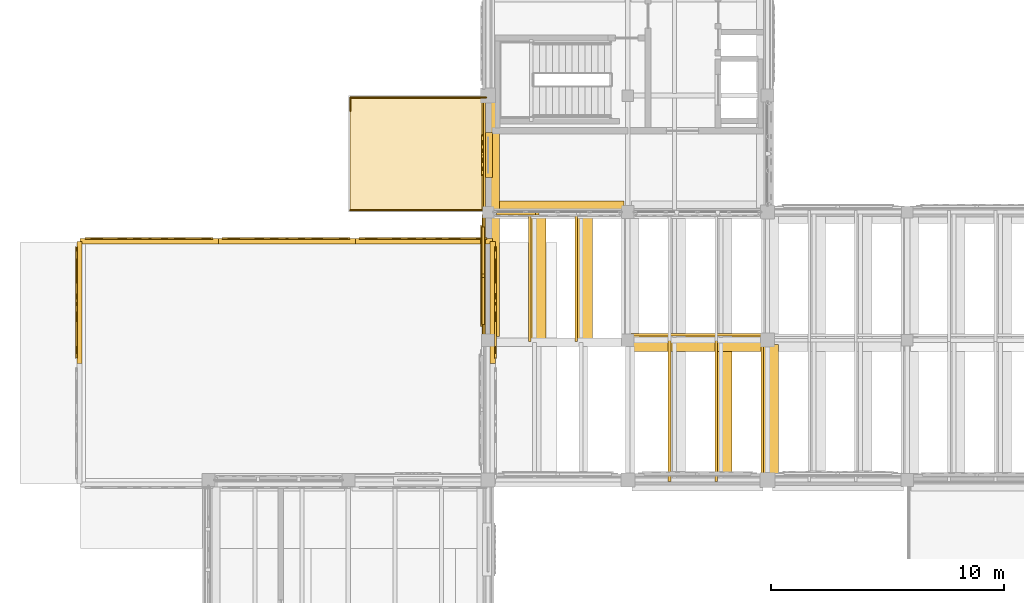
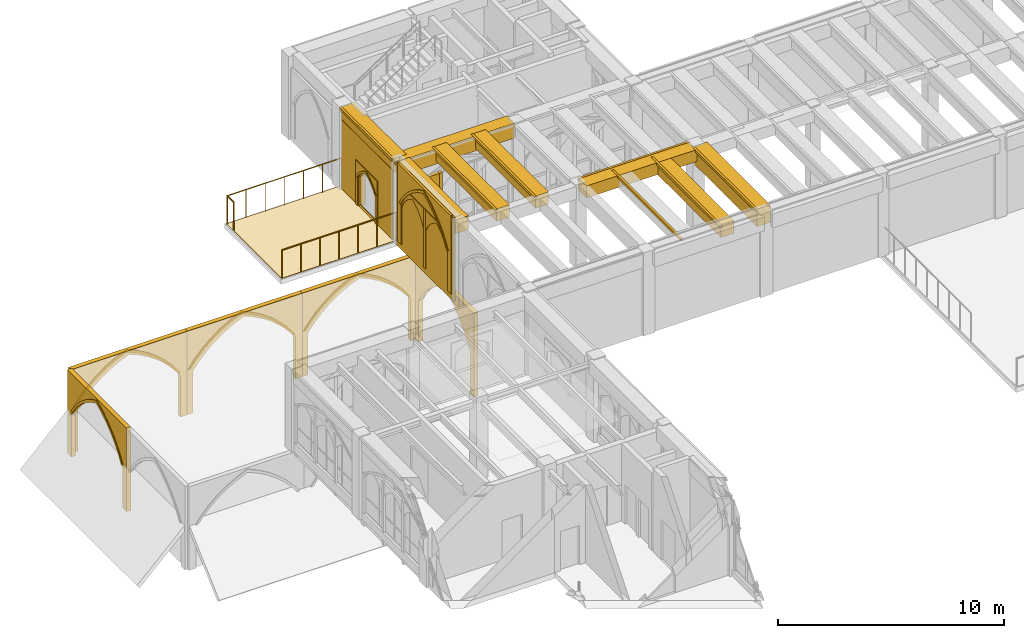
# One storey, part 98 of 127: 38 coverings, 3 railings.
"""IFC4 building model written with IfcOpenShell, lengths in metres."""

from ifc_helpers import new_model, si_unit, direction, frame, origin, origin_2d, place, context, subcontext, project, spatial, polyline, rectangle, circle, outline, extrude, material, type_object, element, save


model = new_model("IFC4")

# Units and contexts
model_context = context("Model", 3, precision=1e-05, world=origin(), true_north=direction((0.0, 1.0)))
body_context = subcontext(model_context, "Body", "Model", "MODEL_VIEW")
ifc_project = project(units=[si_unit("LENGTHUNIT", "METRE"), si_unit("AREAUNIT", "SQUARE_METRE"), si_unit("VOLUMEUNIT", "CUBIC_METRE"), si_unit("PLANEANGLEUNIT", "RADIAN"), si_unit("MASSUNIT", "GRAM", prefix="KILO")], contexts=[model_context])

# Site, building, storey
site_placement = place(None, origin())
site = spatial("IfcSite", under=ifc_project, at=site_placement, CompositionType="ELEMENT")
building_placement = place(site_placement, origin())
building = spatial("IfcBuilding", under=site, at=building_placement, Name="Cumevento Cable Car Station", CompositionType="ELEMENT")
storey_placement = place(building_placement, frame((0.0, 0.0, 4.5)))
storey = spatial("IfcBuildingStorey", under=building, at=storey_placement, Name="L02", CompositionType="ELEMENT", Elevation=4.5)

# Railings
ifc_material_1 = material(Name="Painted Galvanised Architectural Steel", Category="steel")
railing_type = type_object("IfcRailingType", Name="Terrace Guardrail GR-T155 1550", PredefinedType="GUARDRAIL", material=ifc_material_1)
for number, where, name in (
    (1, (16.080078125, 61.419921875, 0.0), "Panoramic Terrace Guardrail GR-T155 #16"),
    (2, (16.080078125, 56.580078125, 0.0), "Panoramic Terrace Guardrail GR-T155 #17"),
):
    element("IfcRailing", number, at=place(storey_placement, frame(where)), inside=storey, type_object=railing_type, Name=name, PredefinedType="GUARDRAIL", context=body_context, shape_type="SweptSolid", body=[
        extrude(circle(Radius=0.02685546875, at=origin_2d()), frame((0.0, 0.0, 1.52294921875), z_axis=(1.0, 0.0, 0.0), x_axis=(0.0, 1.0, 0.0)), (0.0, 0.0, 1.0), 5.83984375),
        extrude(circle(Radius=0.02099609375, at=origin_2d()), origin(), (0.0, 0.0, 1.0), 1.49609375),
        extrude(circle(Radius=0.02099609375, at=origin_2d()), frame((0.973388671875, 0.0, 0.0)), (0.0, 0.0, 1.0), 1.49609375),
        extrude(circle(Radius=0.02099609375, at=origin_2d()), frame((1.946533203125, 0.0, 0.0)), (0.0, 0.0, 1.0), 1.49609375),
        extrude(circle(Radius=0.02099609375, at=origin_2d()), frame((2.919921875, 0.0, 0.0)), (0.0, 0.0, 1.0), 1.49609375),
        extrude(circle(Radius=0.02099609375, at=origin_2d()), frame((3.893310546875, 0.0, 0.0)), (0.0, 0.0, 1.0), 1.49609375),
        extrude(circle(Radius=0.02099609375, at=origin_2d()), frame((4.866455078125, 0.0, 0.0)), (0.0, 0.0, 1.0), 1.49609375),
        extrude(circle(Radius=0.02099609375, at=origin_2d()), frame((5.83984375, 0.0, 0.0)), (0.0, 0.0, 1.0), 1.49609375),
    ])
railing_placement = place(storey_placement, frame((16.080078125, 60.85009765625, 0.0)))
element("IfcRailing", 3, at=railing_placement, inside=storey, type_object=railing_type, Name="Panoramic Terrace Guardrail GR-T155 #18", PredefinedType="GUARDRAIL", context=body_context, shape_type="SweptSolid", body=[
    extrude(circle(Radius=0.02685546875, at=origin_2d()), frame((0.0, 0.0, 1.52294921875), z_axis=(0.0, 1.0, 0.0), x_axis=(-1.0, 0.0, 0.0)), (0.0, 0.0, 1.0), 0.56982421875),
    extrude(circle(Radius=0.02099609375, at=origin_2d()), origin(), (0.0, 0.0, 1.0), 1.49609375),
    extrude(circle(Radius=0.02099609375, at=origin_2d()), frame((0.0, 0.56982421875, 0.0)), (0.0, 0.0, 1.0), 1.49609375),
])

# Coverings
ifc_material_2 = material(Name="Gnaisse Facoidal Stone Ashlar 85 MPa", Category="masonry")
covering_type = type_object("IfcCoveringType", Name="Gnaisse Ashlar Cladding CV-CL01", PredefinedType="CLADDING", material=ifc_material_2)
covering_1_placement = place(storey_placement, frame((30.987548828125, 50.863525390625, 3.783935546875), z_axis=(0.0, 0.0, 1.0), x_axis=(1.0, 0.0, 0.0)))
element("IfcCovering", 4, at=covering_1_placement, inside=storey, type_object=covering_type, Name="Gothic Stone Spandrel Stringcourse sc:0356", PredefinedType="CLADDING", context=body_context, shape_type="SweptSolid", body=[
    extrude(rectangle(XDim=5.6650390625, YDim=0.68701171875, at=origin_2d()), origin(), (0.0, 0.0, 1.0), 0.64599609375),
])
covering_2_placement = place(storey_placement, frame((30.987548828125, 51.234619140625, 4.300048828125), z_axis=(0.0, 0.0, 1.0), x_axis=(1.0, 0.0, 0.0)))
element("IfcCovering", 5, at=covering_2_placement, inside=storey, type_object=covering_type, Name="Gothic Cornice Dripstone Lip sc:0356", PredefinedType="CLADDING", context=body_context, shape_type="SweptSolid", body=[
    extrude(rectangle(XDim=5.705078125, YDim=0.114990234375, at=origin_2d()), origin(), (0.0, 0.0, 1.0), 0.1298828125),
])
covering_3_placement = place(storey_placement, frame((24.987548828125, 56.64990234375, 3.626953125), z_axis=(0.0, 0.0, 1.0), x_axis=(-1.0, 0.0, 0.0)))
element("IfcCovering", 6, at=covering_3_placement, inside=storey, type_object=covering_type, Name="Gothic Stone Spandrel Stringcourse sc:0360", PredefinedType="CLADDING", context=body_context, shape_type="SweptSolid", body=[
    extrude(rectangle(XDim=5.715087890625, YDim=0.659912109375, at=origin_2d()), origin(), (0.0, 0.0, 1.0), 0.802978515625),
])
covering_4_placement = place(storey_placement, frame((22.14990234375, 53.762451171875, 3.682861328125), z_axis=(0.0, 0.0, 1.0), x_axis=(0.0, 1.0, 0.0)))
element("IfcCovering", 7, at=covering_4_placement, inside=storey, type_object=covering_type, Name="Gothic Stone Spandrel Stringcourse sc:0366", PredefinedType="CLADDING", context=body_context, shape_type="SweptSolid", body=[
    extrude(rectangle(XDim=5.215087890625, YDim=0.659912109375, at=origin_2d()), origin(), (0.0, 0.0, 1.0), 0.7470703125),
])
covering_5_placement = place(storey_placement, frame((21.79248046875, 53.762451171875, 4.300048828125), z_axis=(0.0, 0.0, 1.0), x_axis=(0.0, 1.0, 0.0)))
element("IfcCovering", 8, at=covering_5_placement, inside=storey, type_object=covering_type, Name="Gothic Cornice Dripstone Lip sc:0366", PredefinedType="CLADDING", context=body_context, shape_type="SweptSolid", body=[
    extrude(rectangle(XDim=5.2548828125, YDim=0.114990234375, at=origin_2d()), origin(), (0.0, 0.0, 1.0), 0.1298828125),
])
covering_6_placement = place(storey_placement, frame((34.14306640625, 48.012451171875, 3.48193359375), z_axis=(0.0, 0.0, 1.0), x_axis=(0.0, 1.0, 0.0)))
element("IfcCovering", 9, at=covering_6_placement, inside=storey, type_object=covering_type, Name="Gothic Stone Spandrel Stringcourse sc:0369", PredefinedType="CLADDING", context=body_context, shape_type="SweptSolid", body=[
    extrude(rectangle(XDim=5.614990234375, YDim=0.674072265625, at=origin_2d()), origin(), (0.0, 0.0, 1.0), 0.947998046875),
])
covering_7_placement = place(storey_placement, frame((33.778564453125, 48.012451171875, 4.300048828125), z_axis=(0.0, 0.0, 1.0), x_axis=(0.0, 1.0, 0.0)))
element("IfcCovering", 10, at=covering_7_placement, inside=storey, type_object=covering_type, Name="Gothic Cornice Dripstone Lip sc:0369", PredefinedType="CLADDING", context=body_context, shape_type="SweptSolid", body=[
    extrude(rectangle(XDim=5.655029296875, YDim=0.114990234375, at=origin_2d()), origin(), (0.0, 0.0, 1.0), 0.1298828125),
])
covering_8_placement = place(storey_placement, frame((22.14990234375, 58.96240234375, 3.682861328125), z_axis=(0.0, 0.0, 1.0), x_axis=(0.0, 1.0, 0.0)))
element("IfcCovering", 11, at=covering_8_placement, inside=storey, type_object=covering_type, Name="Gothic Stone Spandrel Stringcourse sc:0379", PredefinedType="CLADDING", context=body_context, shape_type="SweptSolid", body=[
    extrude(rectangle(XDim=4.6650390625, YDim=0.659912109375, at=origin_2d()), origin(), (0.0, 0.0, 1.0), 0.7470703125),
])
covering_9_placement = place(storey_placement, frame((21.79248046875, 58.96240234375, 4.300048828125), z_axis=(0.0, 0.0, 1.0), x_axis=(0.0, 1.0, 0.0)))
element("IfcCovering", 12, at=covering_9_placement, inside=storey, type_object=covering_type, Name="Gothic Cornice Dripstone Lip sc:0379", PredefinedType="CLADDING", context=body_context, shape_type="SweptSolid", body=[
    extrude(rectangle(XDim=4.705078125, YDim=0.114990234375, at=origin_2d()), origin(), (0.0, 0.0, 1.0), 0.1298828125),
])
covering_10_placement = place(storey_placement, frame((24.14990234375, 53.753173828125, 3.77294921875), z_axis=(0.0, 0.0, 1.0), x_axis=(0.0, 1.0, 0.0)))
element("IfcCovering", 13, at=covering_10_placement, inside=storey, type_object=covering_type, Name="Gothic Stone Spandrel Stringcourse sc:0493", PredefinedType="CLADDING", context=body_context, shape_type="SweptSolid", body=[
    extrude(rectangle(XDim=5.5654296875, YDim=0.659912109375, at=origin_2d()), origin(), (0.0, 0.0, 1.0), 0.656982421875),
])
covering_11_placement = place(storey_placement, frame((23.79248046875, 53.753173828125, 4.300048828125), z_axis=(0.0, 0.0, 1.0), x_axis=(0.0, 1.0, 0.0)))
element("IfcCovering", 14, at=covering_11_placement, inside=storey, type_object=covering_type, Name="Gothic Cornice Dripstone Lip sc:0493", PredefinedType="CLADDING", context=body_context, shape_type="SweptSolid", body=[
    extrude(rectangle(XDim=5.60546875, YDim=0.114990234375, at=origin_2d()), origin(), (0.0, 0.0, 1.0), 0.1298828125),
])
covering_12_placement = place(storey_placement, frame((26.14990234375, 53.753173828125, 3.77294921875), z_axis=(0.0, 0.0, 1.0), x_axis=(0.0, 1.0, 0.0)))
element("IfcCovering", 15, at=covering_12_placement, inside=storey, type_object=covering_type, Name="Gothic Stone Spandrel Stringcourse sc:0495", PredefinedType="CLADDING", context=body_context, shape_type="SweptSolid", body=[
    extrude(rectangle(XDim=5.5654296875, YDim=0.659912109375, at=origin_2d()), origin(), (0.0, 0.0, 1.0), 0.656982421875),
])
covering_13_placement = place(storey_placement, frame((25.79248046875, 53.753173828125, 4.300048828125), z_axis=(0.0, 0.0, 1.0), x_axis=(0.0, 1.0, 0.0)))
element("IfcCovering", 16, at=covering_13_placement, inside=storey, type_object=covering_type, Name="Gothic Cornice Dripstone Lip sc:0495", PredefinedType="CLADDING", context=body_context, shape_type="SweptSolid", body=[
    extrude(rectangle(XDim=5.60546875, YDim=0.114990234375, at=origin_2d()), origin(), (0.0, 0.0, 1.0), 0.1298828125),
])
covering_14_placement = place(storey_placement, frame((29.79248046875, 47.98095703125, 4.300048828125), z_axis=(0.0, 0.0, 1.0), x_axis=(0.0, 1.0, 0.0)))
element("IfcCovering", 17, at=covering_14_placement, inside=storey, type_object=covering_type, Name="Gothic Cornice Dripstone Lip sc:0496", PredefinedType="CLADDING", context=body_context, shape_type="SweptSolid", body=[
    extrude(rectangle(XDim=6.087890625, YDim=0.114990234375, at=origin_2d()), origin(), (0.0, 0.0, 1.0), 0.1298828125),
])
covering_15_placement = place(storey_placement, frame((32.14990234375, 47.98095703125, 3.73486328125), z_axis=(0.0, 0.0, 1.0), x_axis=(0.0, 1.0, 0.0)))
element("IfcCovering", 18, at=covering_15_placement, inside=storey, type_object=covering_type, Name="Gothic Stone Spandrel Stringcourse sc:0498", PredefinedType="CLADDING", context=body_context, shape_type="SweptSolid", body=[
    extrude(rectangle(XDim=6.048095703125, YDim=0.659912109375, at=origin_2d()), origin(), (0.0, 0.0, 1.0), 0.695068359375),
])
covering_16_placement = place(storey_placement, frame((31.79248046875, 47.98095703125, 4.300048828125), z_axis=(0.0, 0.0, 1.0), x_axis=(0.0, 1.0, 0.0)))
element("IfcCovering", 19, at=covering_16_placement, inside=storey, type_object=covering_type, Name="Gothic Cornice Dripstone Lip sc:0498", PredefinedType="CLADDING", context=body_context, shape_type="SweptSolid", body=[
    extrude(rectangle(XDim=6.087890625, YDim=0.114990234375, at=origin_2d()), origin(), (0.0, 0.0, 1.0), 0.1298828125),
])
covering_17_placement = place(storey_placement, frame((27.72509765625, 56.5, -0.52001953125), z_axis=(0.0, 0.0, 1.0), x_axis=(-1.0, 0.0, 0.0)))
element("IfcCovering", 20, at=covering_17_placement, inside=storey, type_object=covering_type, Name="Gothic Bifora Stone Colonnette cw_ogival:0056 #2", PredefinedType="CLADDING", context=body_context, shape_type="SweptSolid", body=[
    extrude(outline(polyline([(3.546630859375, -0.02001953125), (3.69677734375, -0.02001953125), (3.69677734375, 3.53515625), (3.546630859375, 3.53515625), (3.546630859375, -0.02001953125)])), frame((0.0, 0.1279296875, 0.0), z_axis=(0.0, -1.0, 0.0), x_axis=(1.0, 0.0, 0.0)), (0.0, 0.0, 1.0), 0.205078125),
])
covering_18_placement = place(storey_placement, frame((24.058349609375, 56.5, 2.2373046875), z_axis=(0.0, 0.0, 1.0), x_axis=(-1.0, 0.0, 0.0)))
element("IfcCovering", 21, at=covering_18_placement, inside=storey, type_object=covering_type, Name="Gothic Ogival Pointed-Arch Stone Spandrel cw_ogival:0056:sub:2", PredefinedType="CLADDING", context=body_context, shape_type="SweptSolid", body=[
    extrude(outline(polyline([(-0.02001953125, 0.0), (-0.02001953125, 0.77783203125), (1.6982421875, 0.77783203125), (1.6982421875, 0.0), (1.638427734375, 0.0), (1.53662109375, 0.142822265625), (1.42041015625, 0.2744140625), (1.291259765625, 0.392822265625), (1.150146484375, 0.496826171875), (0.998779296875, 0.58544921875), (0.839111328125, 0.65771484375), (0.679443359375, 0.58544921875), (0.528076171875, 0.496826171875), (0.386962890625, 0.392822265625), (0.2578125, 0.2744140625), (0.1416015625, 0.142822265625), (0.0400390625, 0.0), (-0.02001953125, 0.0)])), frame((0.0, 0.1240234375, 0.0), z_axis=(0.0, -1.0, 0.0), x_axis=(1.0, 0.0, 0.0)), (0.0, 0.0, 1.0), 0.199951171875),
])
covering_19_placement = place(storey_placement, frame((22.0, 51.27490234375, 0.0), z_axis=(0.0, 0.0, 1.0), x_axis=(0.0, 1.0, 0.0)))
element("IfcCovering", 22, at=covering_19_placement, inside=storey, type_object=covering_type, Name="Exterior Gnaisse Stone Wall Ashlar #30", PredefinedType="CLADDING", context=body_context, shape_type="SweptSolid", body=[
    extrude(outline(polyline([(-0.0400390625, -0.02001953125), (5.014892578125, -0.02001953125), (5.014892578125, 4.52001953125), (-0.0400390625, 4.52001953125), (-0.0400390625, -0.02001953125)])), frame((0.0, 0.215087890625, 0.0), z_axis=(0.0, -1.0, 0.0), x_axis=(1.0, 0.0, 0.0)), (0.0, 0.0, 1.0), 0.0849609375),
])
placement = place(storey_placement, frame((22.0, 51.455078125, 0.300048828125), z_axis=(0.0, 0.0, 1.0), x_axis=(0.0, 1.0, 0.0)))
element("IfcCovering", 23, at=placement, inside=storey, type_object=covering_type, Name="Gothic Ogival Pointed-Arch Stone Spandrel blind_ogival:0030", PredefinedType="CLADDING", context=body_context, shape_type="SweptSolid", body=[
    extrude(outline(polyline([(-0.050048828125, 0.0), (-0.050048828125, 4.239990234375), (4.6650390625, 4.239990234375), (4.6650390625, 0.0), (4.35498046875, 0.0), (4.35498046875, 2.219970703125), (4.142578125, 2.554931640625), (3.8994140625, 2.8681640625), (3.627685546875, 3.156982421875), (3.329833984375, 3.418701171875), (3.008544921875, 3.651123046875), (2.666748046875, 3.852294921875), (2.3076171875, 4.02001953125), (1.9482421875, 3.852294921875), (1.6064453125, 3.651123046875), (1.28515625, 3.418701171875), (0.9873046875, 3.156982421875), (0.715576171875, 2.8681640625), (0.472412109375, 2.554931640625), (0.260009765625, 2.219970703125), (0.260009765625, 0.0), (-0.050048828125, 0.0)])), frame((0.0, 0.27001953125, 0.0), z_axis=(0.0, -1.0, 0.0), x_axis=(1.0, 0.0, 0.0)), (0.0, 0.0, 1.0), 0.110107421875),
])
covering_21_placement = place(storey_placement, frame((22.0, 51.455078125, 2.52001953125), z_axis=(0.0, 0.0, 1.0), x_axis=(0.0, 1.0, 0.0)))
element("IfcCovering", 24, at=covering_21_placement, inside=storey, type_object=covering_type, Name="Gothic Pointed Archivolt Hood Moulding blind_ogival:0030", PredefinedType="CLADDING", context=body_context, shape_type="SweptSolid", body=[
    extrude(outline(polyline([(0.260009765625, 0.0), (0.472412109375, 0.3349609375), (0.715576171875, 0.648193359375), (0.9873046875, 0.93701171875), (1.28515625, 1.19873046875), (1.6064453125, 1.43115234375), (1.9482421875, 1.63232421875), (2.3076171875, 1.800048828125), (2.666748046875, 1.63232421875), (3.008544921875, 1.43115234375), (3.329833984375, 1.19873046875), (3.627685546875, 0.93701171875), (3.8994140625, 0.648193359375), (4.142578125, 0.3349609375), (4.35498046875, 0.0), (4.47607421875, 0.0), (4.25439453125, 0.362060546875), (3.9990234375, 0.701171875), (3.712158203125, 1.014404296875), (3.396484375, 1.29833984375), (3.05517578125, 1.550537109375), (2.69091796875, 1.76904296875), (2.3076171875, 1.951171875), (1.924072265625, 1.76904296875), (1.559814453125, 1.550537109375), (1.218505859375, 1.29833984375), (0.90283203125, 1.014404296875), (0.615966796875, 0.701171875), (0.360595703125, 0.362060546875), (0.138916015625, 0.0), (0.260009765625, 0.0)])), frame((0.0, 0.31201171875, 0.0), z_axis=(0.0, -1.0, 0.0), x_axis=(1.0, 0.0, 0.0)), (0.0, 0.0, 1.0), 0.06689453125),
])
element("IfcCovering", 25, at=placement, inside=storey, type_object=covering_type, Name="Gothic Bifora Stone Colonnette blind_ogival:0030 #1", PredefinedType="CLADDING", context=body_context, shape_type="SweptSolid", body=[
    extrude(outline(polyline([(2.232421875, -0.02001953125), (2.382568359375, -0.02001953125), (2.382568359375, 3.156005859375), (2.232421875, 3.156005859375), (2.232421875, -0.02001953125)])), frame((0.0, 0.258056640625, 0.0), z_axis=(0.0, -1.0, 0.0), x_axis=(1.0, 0.0, 0.0)), (0.0, 0.0, 1.0), 0.094970703125),
])
for number, where, z_axis, x_axis, name in (
    (26, (22.0, 51.68505859375, 2.340087890625), (0.0, 0.0, 1.0), (0.0, 1.0, 0.0), "Gothic Ogival Pointed-Arch Stone Spandrel blind_ogival:0030:sub:0"),
    (27, (22.0, 53.8076171875, 2.340087890625), (0.0, 0.0, 1.0), (0.0, 1.0, 0.0), "Gothic Ogival Pointed-Arch Stone Spandrel blind_ogival:0030:sub:1"),
):
    element("IfcCovering", number, at=place(storey_placement, frame(where, z_axis=z_axis, x_axis=x_axis)), inside=storey, type_object=covering_type, Name=name, PredefinedType="CLADDING", context=body_context, shape_type="SweptSolid", body=[
        extrude(outline(polyline([(-0.02001953125, 0.0), (-0.02001953125, 1.115966796875), (2.052490234375, 1.115966796875), (2.052490234375, 0.0), (1.992431640625, 0.0), (1.884765625, 0.211669921875), (1.752197265625, 0.408935546875), (1.596435546875, 0.58837890625), (1.420166015625, 0.74755859375), (1.225830078125, 0.884033203125), (1.016357421875, 0.99609375), (0.806640625, 0.884033203125), (0.6123046875, 0.74755859375), (0.43603515625, 0.58837890625), (0.2802734375, 0.408935546875), (0.147705078125, 0.211669921875), (0.0400390625, 0.0), (-0.02001953125, 0.0)])), frame((0.0, 0.25390625, 0.0), z_axis=(0.0, -1.0, 0.0), x_axis=(1.0, 0.0, 0.0)), (0.0, 0.0, 1.0), 0.090087890625),
    ])
covering_23_placement = place(storey_placement, frame((22.0, 56.75, 0.0), z_axis=(0.0, 0.0, 1.0), x_axis=(0.0, 1.0, 0.0)))
element("IfcCovering", 28, at=covering_23_placement, inside=storey, type_object=covering_type, Name="Exterior Gnaisse Stone Wall Ashlar #197", PredefinedType="CLADDING", context=body_context, shape_type="SweptSolid", body=[
    extrude(outline(polyline([(-0.0400390625, -0.02001953125), (4.465087890625, -0.02001953125), (4.465087890625, 3.762939453125), (-0.0400390625, 3.762939453125), (-0.0400390625, -0.02001953125)]), holes=[polyline([(1.429931640625, 0.02001953125), (2.969970703125, 0.02001953125), (2.969970703125, 2.169921875), (1.429931640625, 2.169921875), (1.429931640625, 0.02001953125)])]), frame((0.0, 0.1923828125, 0.0), z_axis=(0.0, -1.0, 0.0), x_axis=(1.0, 0.0, 0.0)), (0.0, 0.0, 1.0), 0.0849609375),
])
covering_24_placement = place(storey_placement, frame((22.0, 58.030029296875, -0.050048828125), z_axis=(0.0, 0.0, 1.0), x_axis=(0.0, 1.0, 0.0)))
element("IfcCovering", 29, at=covering_24_placement, inside=storey, type_object=covering_type, Name="Gothic Ogival Pointed-Arch Stone Spandrel op_ogival:0197:1", PredefinedType="CLADDING", context=body_context, shape_type="SweptSolid", body=[
    extrude(outline(polyline([(-0.0400390625, 0.0), (-0.0400390625, 2.449951171875), (1.8798828125, 2.449951171875), (1.8798828125, 0.0), (1.699951171875, 0.0), (1.699951171875, 1.61962890625), (1.616455078125, 1.7412109375), (1.522216796875, 1.854736328125), (1.418212890625, 1.959228515625), (1.3046875, 2.0537109375), (1.183349609375, 2.137451171875), (1.0546875, 2.209716796875), (0.919921875, 2.27001953125), (0.785400390625, 2.209716796875), (0.65673828125, 2.137451171875), (0.535400390625, 2.0537109375), (0.421875, 1.959228515625), (0.31787109375, 1.854736328125), (0.2236328125, 1.7412109375), (0.139892578125, 1.61962890625), (0.139892578125, 0.0), (-0.0400390625, 0.0)])), frame((0.0, 0.23046875, 0.0), z_axis=(0.0, -1.0, 0.0), x_axis=(1.0, 0.0, 0.0)), (0.0, 0.0, 1.0), 0.4150390625),
])
covering_25_placement = place(storey_placement, frame((22.0, 58.030029296875, 1.569580078125), z_axis=(0.0, 0.0, 1.0), x_axis=(0.0, 1.0, 0.0)))
element("IfcCovering", 30, at=covering_25_placement, inside=storey, type_object=covering_type, Name="Gothic Pointed Archivolt Hood Moulding op_ogival:0197:1", PredefinedType="CLADDING", context=body_context, shape_type="SweptSolid", body=[
    extrude(outline(polyline([(0.139892578125, 0.0), (0.2236328125, 0.12158203125), (0.31787109375, 0.235107421875), (0.421875, 0.339599609375), (0.535400390625, 0.43408203125), (0.65673828125, 0.517822265625), (0.785400390625, 0.590087890625), (0.919921875, 0.650390625), (1.0546875, 0.590087890625), (1.183349609375, 0.517822265625), (1.3046875, 0.43408203125), (1.418212890625, 0.339599609375), (1.522216796875, 0.235107421875), (1.616455078125, 0.12158203125), (1.699951171875, 0.0), (1.799072265625, 0.0), (1.7080078125, 0.14404296875), (1.603759765625, 0.27880859375), (1.487060546875, 0.40283203125), (1.359130859375, 0.515625), (1.22119140625, 0.615478515625), (1.074462890625, 0.701904296875), (0.919921875, 0.774169921875), (0.765625, 0.701904296875), (0.618896484375, 0.615478515625), (0.48095703125, 0.515625), (0.35302734375, 0.40283203125), (0.236328125, 0.27880859375), (0.132080078125, 0.14404296875), (0.041015625, 0.0), (0.139892578125, 0.0)])), frame((0.0, 0.2724609375, 0.0), z_axis=(0.0, -1.0, 0.0), x_axis=(1.0, 0.0, 0.0)), (0.0, 0.0, 1.0), 0.06689453125),
])
covering_26_placement = place(storey_placement, frame((0.0, 0.0, -0.0048828125)))
element("IfcCovering", 31, at=covering_26_placement, inside=storey, type_object=covering_type, Name="Gnaisse Stone Terrace Parterre Paving #6.1", PredefinedType="CLADDING", context=body_context, shape_type="SweptSolid", body=[
    extrude(outline(polyline([(16.06005859375, 61.43994140625), (21.93994140625, 61.43994140625), (21.93994140625, 56.56005859375), (16.06005859375, 56.56005859375), (16.06005859375, 61.43994140625)])), origin(), (0.0, 0.0, 1.0), 0.02294921875),
])
covering_27_placement = place(storey_placement, frame((22.14990234375, 55.199951171875, -4.52001953125), z_axis=(0.0, 0.0, 1.0), x_axis=(0.0, -1.0, 0.0)))
element("IfcCovering", 32, at=covering_27_placement, inside=storey, type_object=covering_type, Name="Gothic Ogival Pointed-Arch Stone Spandrel cumevento_plinth:bank_arch:SLOPE_NW_W:E:1", PredefinedType="CLADDING", context=body_context, shape_type="SweptSolid", body=[
    extrude(outline(polyline([(-0.030029296875, 0.0), (-0.030029296875, 4.52001953125), (5.205078125, 4.52001953125), (5.205078125, 0.0), (4.85498046875, 0.0), (4.85498046875, 2.25), (4.58203125, 2.69140625), (4.260986328125, 3.099365234375), (3.896240234375, 3.468505859375), (3.4921875, 3.79443359375), (3.05419921875, 4.07275390625), (2.58740234375, 4.300048828125), (2.120849609375, 4.07275390625), (1.682861328125, 3.79443359375), (1.27880859375, 3.468505859375), (0.9140625, 3.099365234375), (0.593017578125, 2.69140625), (0.320068359375, 2.25), (0.320068359375, 0.0), (-0.030029296875, 0.0)])), frame((0.0, 0.159912109375, 0.0), z_axis=(0.0, -1.0, 0.0), x_axis=(1.0, 0.0, 0.0)), (0.0, 0.0, 1.0), 0.219970703125),
])
covering_28_placement = place(storey_placement, frame((22.14990234375, 55.199951171875, -2.27001953125), z_axis=(0.0, 0.0, 1.0), x_axis=(0.0, -1.0, 0.0)))
element("IfcCovering", 33, at=covering_28_placement, inside=storey, type_object=covering_type, Name="Gothic Pointed Archivolt Hood Moulding cumevento_plinth:bank_arch:SLOPE_NW_W:E:1", PredefinedType="CLADDING", context=body_context, shape_type="SweptSolid", body=[
    extrude(outline(polyline([(0.320068359375, 0.0), (0.593017578125, 0.44140625), (0.9140625, 0.849365234375), (1.27880859375, 1.218505859375), (1.682861328125, 1.54443359375), (2.120849609375, 1.82275390625), (2.58740234375, 2.050048828125), (3.05419921875, 1.82275390625), (3.4921875, 1.54443359375), (3.896240234375, 1.218505859375), (4.260986328125, 0.849365234375), (4.58203125, 0.44140625), (4.85498046875, 0.0), (4.97607421875, 0.0), (4.69189453125, 0.47314453125), (4.35595703125, 0.91064453125), (3.97216796875, 1.30712890625), (3.545654296875, 1.657470703125), (3.082275390625, 1.956787109375), (2.58740234375, 2.201171875), (2.0927734375, 1.956787109375), (1.62939453125, 1.657470703125), (1.202880859375, 1.30712890625), (0.819091796875, 0.91064453125), (0.483154296875, 0.47314453125), (0.198974609375, 0.0), (0.320068359375, 0.0)])), frame((0.0, 0.201904296875, 0.0), z_axis=(0.0, -1.0, 0.0), x_axis=(1.0, 0.0, 0.0)), (0.0, 0.0, 1.0), 0.06689453125),
])
covering_29_placement = place(storey_placement, frame((16.2666015625, 55.199951171875, -4.52001953125), z_axis=(0.0, 0.0, 1.0), x_axis=(1.0, 0.0, 0.0)))
element("IfcCovering", 34, at=covering_29_placement, inside=storey, type_object=covering_type, Name="Gothic Ogival Pointed-Arch Stone Spandrel cumevento_plinth:bank_arch:SLOPE_NW_W:N:0", PredefinedType="CLADDING", context=body_context, shape_type="SweptSolid", body=[
    extrude(outline(polyline([(-0.030029296875, 0.0), (-0.030029296875, 4.52001953125), (5.913330078125, 4.52001953125), (5.913330078125, 0.0), (5.563232421875, 0.0), (5.563232421875, 2.25), (5.22119140625, 2.697265625), (4.83544921875, 3.107666015625), (4.41015625, 3.4765625), (3.949462890625, 3.800537109375), (3.458251953125, 4.075927734375), (2.941650390625, 4.300048828125), (2.425048828125, 4.075927734375), (1.933837890625, 3.800537109375), (1.47314453125, 3.4765625), (1.0478515625, 3.107666015625), (0.662109375, 2.697265625), (0.320068359375, 2.25), (0.320068359375, 0.0), (-0.030029296875, 0.0)])), frame((0.0, 0.159912109375, 0.0), z_axis=(0.0, -1.0, 0.0), x_axis=(1.0, 0.0, 0.0)), (0.0, 0.0, 1.0), 0.219970703125),
])
covering_30_placement = place(storey_placement, frame((16.2666015625, 55.199951171875, -2.27001953125), z_axis=(0.0, 0.0, 1.0), x_axis=(1.0, 0.0, 0.0)))
element("IfcCovering", 35, at=covering_30_placement, inside=storey, type_object=covering_type, Name="Gothic Pointed Archivolt Hood Moulding cumevento_plinth:bank_arch:SLOPE_NW_W:N:0", PredefinedType="CLADDING", context=body_context, shape_type="SweptSolid", body=[
    extrude(outline(polyline([(0.320068359375, 0.0), (0.662109375, 0.447265625), (1.0478515625, 0.857666015625), (1.47314453125, 1.2265625), (1.933837890625, 1.550537109375), (2.425048828125, 1.825927734375), (2.941650390625, 2.050048828125), (3.458251953125, 1.825927734375), (3.949462890625, 1.550537109375), (4.41015625, 1.2265625), (4.83544921875, 0.857666015625), (5.22119140625, 0.447265625), (5.563232421875, 0.0), (5.684326171875, 0.0), (5.3310546875, 0.479248046875), (4.929931640625, 0.91943359375), (4.485595703125, 1.315673828125), (4.00244140625, 1.663818359375), (3.486083984375, 1.9599609375), (2.941650390625, 2.201171875), (2.397216796875, 1.9599609375), (1.880859375, 1.663818359375), (1.397705078125, 1.315673828125), (0.953369140625, 0.91943359375), (0.55224609375, 0.479248046875), (0.198974609375, 0.0), (0.320068359375, 0.0)])), frame((0.0, 0.201904296875, 0.0), z_axis=(0.0, -1.0, 0.0), x_axis=(1.0, 0.0, 0.0)), (0.0, 0.0, 1.0), 0.06689453125),
])
covering_31_placement = place(storey_placement, frame((10.38330078125, 55.199951171875, -4.52001953125), z_axis=(0.0, 0.0, 1.0), x_axis=(1.0, 0.0, 0.0)))
element("IfcCovering", 36, at=covering_31_placement, inside=storey, type_object=covering_type, Name="Gothic Ogival Pointed-Arch Stone Spandrel cumevento_plinth:bank_arch:SLOPE_NW_W:N:1", PredefinedType="CLADDING", context=body_context, shape_type="SweptSolid", body=[
    extrude(outline(polyline([(-0.030029296875, 0.0), (-0.030029296875, 4.52001953125), (5.913330078125, 4.52001953125), (5.913330078125, 0.0), (5.563232421875, 0.0), (5.563232421875, 2.25), (5.22119140625, 2.697265625), (4.83544921875, 3.107666015625), (4.41015625, 3.4765625), (3.949462890625, 3.800537109375), (3.458251953125, 4.075927734375), (2.941650390625, 4.300048828125), (2.425048828125, 4.075927734375), (1.933837890625, 3.800537109375), (1.47314453125, 3.4765625), (1.0478515625, 3.107666015625), (0.662109375, 2.697265625), (0.320068359375, 2.25), (0.320068359375, 0.0), (-0.030029296875, 0.0)])), frame((0.0, 0.159912109375, 0.0), z_axis=(0.0, -1.0, 0.0), x_axis=(1.0, 0.0, 0.0)), (0.0, 0.0, 1.0), 0.219970703125),
])
covering_32_placement = place(storey_placement, frame((10.38330078125, 55.199951171875, -2.27001953125), z_axis=(0.0, 0.0, 1.0), x_axis=(1.0, 0.0, 0.0)))
element("IfcCovering", 37, at=covering_32_placement, inside=storey, type_object=covering_type, Name="Gothic Pointed Archivolt Hood Moulding cumevento_plinth:bank_arch:SLOPE_NW_W:N:1", PredefinedType="CLADDING", context=body_context, shape_type="SweptSolid", body=[
    extrude(outline(polyline([(0.320068359375, 0.0), (0.662109375, 0.447265625), (1.0478515625, 0.857666015625), (1.47314453125, 1.2265625), (1.933837890625, 1.550537109375), (2.425048828125, 1.825927734375), (2.941650390625, 2.050048828125), (3.458251953125, 1.825927734375), (3.949462890625, 1.550537109375), (4.41015625, 1.2265625), (4.83544921875, 0.857666015625), (5.22119140625, 0.447265625), (5.563232421875, 0.0), (5.684326171875, 0.0), (5.3310546875, 0.479248046875), (4.929931640625, 0.91943359375), (4.485595703125, 1.315673828125), (4.00244140625, 1.663818359375), (3.486083984375, 1.9599609375), (2.941650390625, 2.201171875), (2.397216796875, 1.9599609375), (1.880859375, 1.663818359375), (1.397705078125, 1.315673828125), (0.953369140625, 0.91943359375), (0.55224609375, 0.479248046875), (0.198974609375, 0.0), (0.320068359375, 0.0)])), frame((0.0, 0.201904296875, 0.0), z_axis=(0.0, -1.0, 0.0), x_axis=(1.0, 0.0, 0.0)), (0.0, 0.0, 1.0), 0.06689453125),
])
covering_33_placement = place(storey_placement, frame((4.5, 55.199951171875, -4.52001953125), z_axis=(0.0, 0.0, 1.0), x_axis=(1.0, 0.0, 0.0)))
element("IfcCovering", 38, at=covering_33_placement, inside=storey, type_object=covering_type, Name="Gothic Ogival Pointed-Arch Stone Spandrel cumevento_plinth:bank_arch:SLOPE_NW_W:N:2", PredefinedType="CLADDING", context=body_context, shape_type="SweptSolid", body=[
    extrude(outline(polyline([(-0.030029296875, 0.0), (-0.030029296875, 4.52001953125), (5.913330078125, 4.52001953125), (5.913330078125, 0.0), (5.563232421875, 0.0), (5.563232421875, 2.25), (5.22119140625, 2.697265625), (4.83544921875, 3.107666015625), (4.41015625, 3.4765625), (3.949462890625, 3.800537109375), (3.458251953125, 4.075927734375), (2.941650390625, 4.300048828125), (2.425048828125, 4.075927734375), (1.933837890625, 3.800537109375), (1.47314453125, 3.4765625), (1.0478515625, 3.107666015625), (0.662109375, 2.697265625), (0.320068359375, 2.25), (0.320068359375, 0.0), (-0.030029296875, 0.0)])), frame((0.0, 0.159912109375, 0.0), z_axis=(0.0, -1.0, 0.0), x_axis=(1.0, 0.0, 0.0)), (0.0, 0.0, 1.0), 0.219970703125),
])
covering_34_placement = place(storey_placement, frame((4.5, 55.199951171875, -2.27001953125), z_axis=(0.0, 0.0, 1.0), x_axis=(1.0, 0.0, 0.0)))
element("IfcCovering", 39, at=covering_34_placement, inside=storey, type_object=covering_type, Name="Gothic Pointed Archivolt Hood Moulding cumevento_plinth:bank_arch:SLOPE_NW_W:N:2", PredefinedType="CLADDING", context=body_context, shape_type="SweptSolid", body=[
    extrude(outline(polyline([(0.320068359375, 0.0), (0.662109375, 0.447265625), (1.0478515625, 0.857666015625), (1.47314453125, 1.2265625), (1.933837890625, 1.550537109375), (2.425048828125, 1.825927734375), (2.941650390625, 2.050048828125), (3.458251953125, 1.825927734375), (3.949462890625, 1.550537109375), (4.41015625, 1.2265625), (4.83544921875, 0.857666015625), (5.22119140625, 0.447265625), (5.563232421875, 0.0), (5.684326171875, 0.0), (5.3310546875, 0.479248046875), (4.929931640625, 0.91943359375), (4.485595703125, 1.315673828125), (4.00244140625, 1.663818359375), (3.486083984375, 1.9599609375), (2.941650390625, 2.201171875), (2.397216796875, 1.9599609375), (1.880859375, 1.663818359375), (1.397705078125, 1.315673828125), (0.953369140625, 0.91943359375), (0.55224609375, 0.479248046875), (0.198974609375, 0.0), (0.320068359375, 0.0)])), frame((0.0, 0.201904296875, 0.0), z_axis=(0.0, -1.0, 0.0), x_axis=(1.0, 0.0, 0.0)), (0.0, 0.0, 1.0), 0.06689453125),
])
covering_35_placement = place(storey_placement, frame((4.5, 50.02490234375, -4.52001953125), z_axis=(0.0, 0.0, 1.0), x_axis=(0.0, 1.0, 0.0)))
element("IfcCovering", 40, at=covering_35_placement, inside=storey, type_object=covering_type, Name="Gothic Ogival Pointed-Arch Stone Spandrel cumevento_plinth:bank_arch:SLOPE_NW_W:W:0", PredefinedType="CLADDING", context=body_context, shape_type="SweptSolid", body=[
    extrude(outline(polyline([(-0.030029296875, 0.0), (-0.030029296875, 4.52001953125), (5.205078125, 4.52001953125), (5.205078125, 0.0), (4.85498046875, 0.0), (4.85498046875, 2.25), (4.58203125, 2.69140625), (4.260986328125, 3.099365234375), (3.896240234375, 3.468505859375), (3.4921875, 3.79443359375), (3.05419921875, 4.07275390625), (2.58740234375, 4.300048828125), (2.120849609375, 4.07275390625), (1.682861328125, 3.79443359375), (1.27880859375, 3.468505859375), (0.9140625, 3.099365234375), (0.593017578125, 2.69140625), (0.320068359375, 2.25), (0.320068359375, 0.0), (-0.030029296875, 0.0)])), frame((0.0, 0.159912109375, 0.0), z_axis=(0.0, -1.0, 0.0), x_axis=(1.0, 0.0, 0.0)), (0.0, 0.0, 1.0), 0.219970703125),
])
covering_36_placement = place(storey_placement, frame((4.5, 50.02490234375, -2.27001953125), z_axis=(0.0, 0.0, 1.0), x_axis=(0.0, 1.0, 0.0)))
element("IfcCovering", 41, at=covering_36_placement, inside=storey, type_object=covering_type, Name="Gothic Pointed Archivolt Hood Moulding cumevento_plinth:bank_arch:SLOPE_NW_W:W:0", PredefinedType="CLADDING", context=body_context, shape_type="SweptSolid", body=[
    extrude(outline(polyline([(0.320068359375, 0.0), (0.593017578125, 0.44140625), (0.9140625, 0.849365234375), (1.27880859375, 1.218505859375), (1.682861328125, 1.54443359375), (2.120849609375, 1.82275390625), (2.58740234375, 2.050048828125), (3.05419921875, 1.82275390625), (3.4921875, 1.54443359375), (3.896240234375, 1.218505859375), (4.260986328125, 0.849365234375), (4.58203125, 0.44140625), (4.85498046875, 0.0), (4.97607421875, 0.0), (4.69189453125, 0.47314453125), (4.35595703125, 0.91064453125), (3.97216796875, 1.30712890625), (3.545654296875, 1.657470703125), (3.082275390625, 1.956787109375), (2.58740234375, 2.201171875), (2.0927734375, 1.956787109375), (1.62939453125, 1.657470703125), (1.202880859375, 1.30712890625), (0.819091796875, 0.91064453125), (0.483154296875, 0.47314453125), (0.198974609375, 0.0), (0.320068359375, 0.0)])), frame((0.0, 0.201904296875, 0.0), z_axis=(0.0, -1.0, 0.0), x_axis=(1.0, 0.0, 0.0)), (0.0, 0.0, 1.0), 0.06689453125),
])

save(model, "model.ifc")
